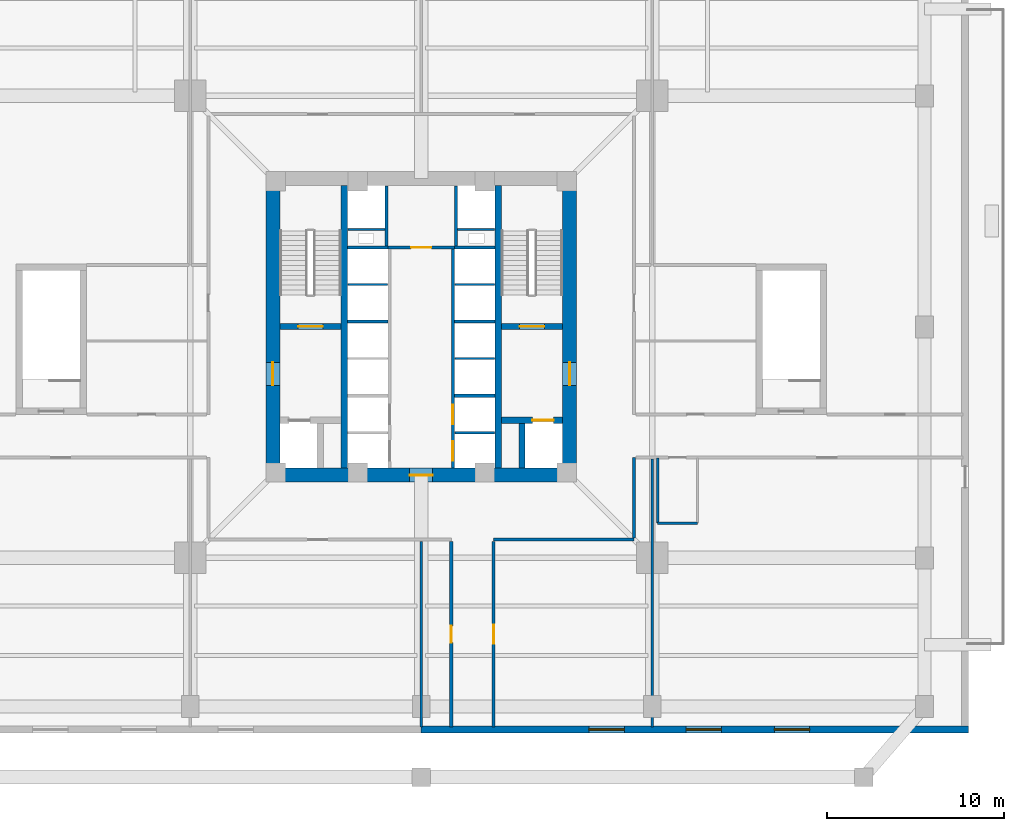
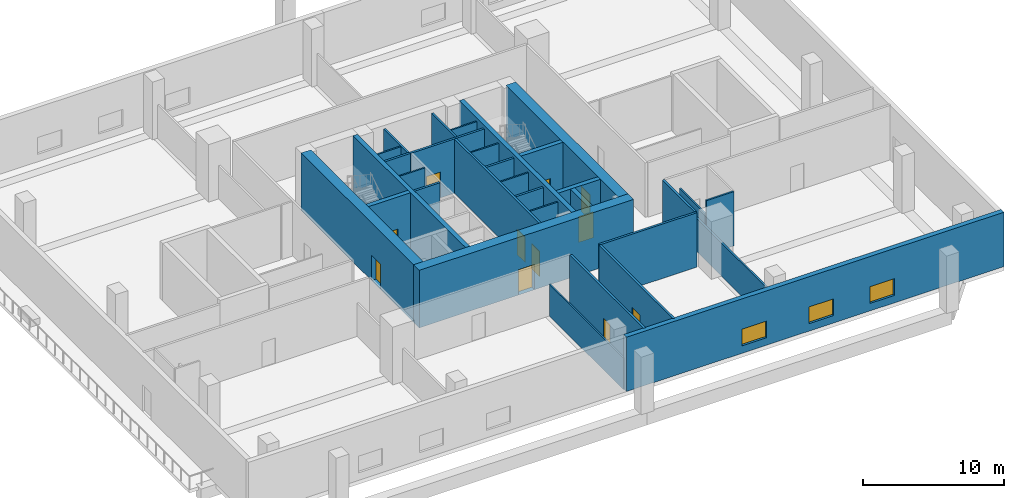
# One storey, part 3 of 8: 33 walls, 11 doors, 3 windows, 14 openings.
"""IFC4 building model written with IfcOpenShell, lengths in metres."""

import ifcopenshell
import ifcopenshell.guid

model = None  # the IFC model being written
_history = None  # IfcOwnerHistory: only IFC2X3 demands one
_inside = {}  # id of a spatial element -> (the spatial element, [elements in it])
_under = {}  # id of a project, library or spatial element -> (it, [spatial elements below it])
_declared = {}  # id of a project -> (the project, [libraries it declares])
_typed = {}  # id of a type object -> (the type object, [elements of that type])
_made_of = {}  # id of a material, layer set ... -> (it, [elements and type objects made of it])


def new_model(schema):
    """Start an empty IFC model of exactly this schema.

    Asked for "IFC4X3", IfcOpenShell would pick the latest addendum, in which some entities
    have other attributes; the version numbers below select the first issue.
    IFC2X3 requires an IfcOwnerHistory on every rooted entity: one is made here for all.
    """
    global model, _history
    if schema == "IFC4X3":
        model = ifcopenshell.file(schema_version=(4, 3, 0, 0))
    else:
        model = ifcopenshell.file(schema=schema)
    _inside.clear()
    _under.clear()
    _declared.clear()
    _typed.clear()
    _made_of.clear()
    _history = None
    if model.schema == "IFC2X3":
        org = make("IfcOrganization", Name="unknown")
        user = make(
            "IfcPersonAndOrganization",
            ThePerson=make("IfcPerson", FamilyName="unknown"),
            TheOrganization=org,
        )
        app = make(
            "IfcApplication",
            ApplicationDeveloper=org,
            Version="unknown",
            ApplicationFullName="unknown",
            ApplicationIdentifier="unknown",
        )
        _history = make(
            "IfcOwnerHistory",
            OwningUser=user,
            OwningApplication=app,
            ChangeAction="ADDED",
            CreationDate=0,
        )
    return model


def make(cls, **values):
    """One entity of the class cls with the attributes given. An attribute that is None is left unset."""
    return model.create_entity(
        cls, **{name: value for name, value in values.items() if value is not None}
    )


def rooted(cls, **values):
    """An entity with a GlobalId (a new one), such as an element, a storey or a relation."""
    return make(cls, GlobalId=ifcopenshell.guid.new(), OwnerHistory=_history, **values)


def si_unit(unit_type, name, prefix=None):
    """IfcSIUnit, for example si_unit("LENGTHUNIT", "METRE", prefix="MILLI")."""
    return make("IfcSIUnit", UnitType=unit_type, Prefix=prefix, Name=name)


def assignment(units):
    """IfcUnitAssignment: the units of a project."""
    return None if units is None else make("IfcUnitAssignment", Units=units)


def point(xyz):
    """IfcCartesianPoint."""
    return None if xyz is None else make("IfcCartesianPoint", Coordinates=xyz)


def direction(xyz):
    """IfcDirection."""
    return None if xyz is None else make("IfcDirection", DirectionRatios=xyz)


def frame(location, z_axis=None, x_axis=None):
    """IfcAxis2Placement3D, a coordinate frame: its origin and axes. An axis left out is left unset."""
    return make(
        "IfcAxis2Placement3D",
        Location=point(location),
        Axis=direction(z_axis),
        RefDirection=direction(x_axis),
    )


def frame_2d(location, x_axis=None):
    """IfcAxis2Placement2D, a coordinate frame in the plane: its origin and x axis."""
    return make(
        "IfcAxis2Placement2D", Location=point(location), RefDirection=direction(x_axis)
    )


def origin():
    """The frame at (0, 0, 0) with its axes left unset."""
    return frame((0.0, 0.0, 0.0))


def place(relative_to, where):
    """IfcLocalPlacement: puts the frame where relative to a parent placement (None: the world)."""
    return make(
        "IfcLocalPlacement", PlacementRelTo=relative_to, RelativePlacement=where
    )


def context(
    kind, dimensions, precision=None, world=None, true_north=None, identifier=None
):
    """IfcGeometricRepresentationContext, for example the 3D "Model" context."""
    return make(
        "IfcGeometricRepresentationContext",
        ContextIdentifier=identifier,
        ContextType=kind,
        CoordinateSpaceDimension=dimensions,
        Precision=precision,
        WorldCoordinateSystem=world,
        TrueNorth=true_north,
    )


def subcontext(parent, identifier, kind, view, scale=None):
    """IfcGeometricRepresentationSubContext, for example "Body" below "Model"."""
    return make(
        "IfcGeometricRepresentationSubContext",
        ContextIdentifier=identifier,
        ContextType=kind,
        ParentContext=parent,
        TargetScale=scale,
        TargetView=view,
    )


def project(units=None, contexts=None):
    """IfcProject with its units and contexts."""
    return rooted(
        "IfcProject",
        Name="project",
        RepresentationContexts=contexts,
        UnitsInContext=assignment(units),
    )


def spatial(cls, under=None, at=None, **own):
    """A site, building, storey or space (cls), placed at a placement, below another one or the project."""
    s = rooted(cls, ObjectPlacement=at, **own)
    if under is not None:
        _under.setdefault(under.id(), (under, []))[1].append(s)
    return s


def profile(cls, at=None, kind="AREA", **sizes):
    """A parametric profile (cls). Its sizes go by their IFC names, for example OverallWidth=200.0."""
    return make(cls, ProfileType=kind, Position=at, **sizes)


def rectangle(**sizes):
    """IfcRectangleProfileDef."""
    return profile("IfcRectangleProfileDef", **sizes)


def extrude(swept, where, along, depth):
    """IfcExtrudedAreaSolid: the profile swept, set in the frame where, extruded along a direction by depth."""
    return make(
        "IfcExtrudedAreaSolid",
        SweptArea=swept,
        Position=where,
        ExtrudedDirection=direction(along),
        Depth=depth,
    )


def shape(context_of_items, identifier, shape_type, items):
    """IfcShapeRepresentation: the items that make up one representation, for example the "Body"."""
    return make(
        "IfcShapeRepresentation",
        ContextOfItems=context_of_items,
        RepresentationIdentifier=identifier,
        RepresentationType=shape_type,
        Items=items,
    )


def source(mapping_origin, context_of_items, identifier, shape_type, items):
    """IfcRepresentationMap: a shape defined once, which mapped items show again and again."""
    return make(
        "IfcRepresentationMap",
        MappingOrigin=mapping_origin,
        MappedRepresentation=shape(context_of_items, identifier, shape_type, items),
    )


def transform(
    local_origin,
    x_axis=None,
    y_axis=None,
    z_axis=None,
    scale=None,
    scale2=None,
    scale3=None,
    uniform=True,
):
    """IfcCartesianTransformationOperator3D, or its non-uniform kind. x_axis, y_axis, z_axis: its Axis1, 2, 3."""
    if uniform:
        return make(
            "IfcCartesianTransformationOperator3D",
            Axis1=direction(x_axis),
            Axis2=direction(y_axis),
            LocalOrigin=point(local_origin),
            Scale=scale,
            Axis3=direction(z_axis),
        )
    return make(
        "IfcCartesianTransformationOperator3DnonUniform",
        Axis1=direction(x_axis),
        Axis2=direction(y_axis),
        LocalOrigin=point(local_origin),
        Scale=scale,
        Axis3=direction(z_axis),
        Scale2=scale2,
        Scale3=scale3,
    )


def mapped(mapping_source, mapping_target):
    """IfcMappedItem: shows the shape of a source again, moved by a transform."""
    return make(
        "IfcMappedItem", MappingSource=mapping_source, MappingTarget=mapping_target
    )


def material(Name=None, Category=None):
    """IfcMaterial."""
    return make("IfcMaterial", Name=Name, Category=Category)


def layer(
    of_material, thickness, ventilated=None, Name=None, Category=None, Priority=None
):
    """IfcMaterialLayer: one layer of a wall or slab, of a material (None: an air gap)."""
    return make(
        "IfcMaterialLayer",
        Material=of_material,
        LayerThickness=thickness,
        IsVentilated=ventilated,
        Name=Name,
        Category=Category,
        Priority=Priority,
    )


def layer_set(layers, Name=None):
    """IfcMaterialLayerSet."""
    return make("IfcMaterialLayerSet", MaterialLayers=layers, LayerSetName=Name)


def made_of(thing, what):
    """Note that an element or type object is made of a material, layer set ...; save() writes the relation."""
    if what is not None:
        _made_of.setdefault(what.id(), (what, []))[1].append(thing)
    return thing


def type_object(cls, material=None, **own):
    """A type object (cls), such as IfcWallType, which elements share."""
    return made_of(rooted(cls, **own), material)


def element(
    cls,
    number,
    at=None,
    inside=None,
    cuts=None,
    type_object=None,
    material=None,
    context=None,
    identifier="Body",
    shape_type=None,
    held_by="IfcProductDefinitionShape",
    body=None,
    shapes=None,
    **own,
):
    """One element of the class cls, such as IfcWall. Its Tag is "e" and its number.

    at: its placement. inside: the storey or other place that contains it. cuts: it is an
    opening in that element (IfcRelVoidsElement). A single representation is given by context,
    identifier, shape_type and body (its items); several are given by shapes. held_by: the class
    of the entity that holds the representations. save() writes the other relations.
    """
    e = rooted(cls, Tag="e%d" % number, ObjectPlacement=at, **own)
    if body is not None:
        shapes = [shape(context, identifier, shape_type, body)]
    if shapes is not None:
        e.Representation = make(held_by, Representations=shapes)
    if inside is not None:
        _inside.setdefault(inside.id(), (inside, []))[1].append(e)
    if cuts is not None:
        rooted(
            "IfcRelVoidsElement", RelatingBuildingElement=cuts, RelatedOpeningElement=e
        )
    if type_object is not None:
        _typed.setdefault(type_object.id(), (type_object, []))[1].append(e)
    return made_of(e, material)


def fill(opening, filler):
    """IfcRelFillsElement: the door or window that sits in an opening."""
    return rooted(
        "IfcRelFillsElement",
        RelatingOpeningElement=opening,
        RelatedBuildingElement=filler,
    )


def aggregate(whole, parts):
    """IfcRelAggregates: a whole, such as a stair, and the parts it consists of."""
    return rooted("IfcRelAggregates", RelatingObject=whole, RelatedObjects=parts)


def save(model, path):
    """Write the relations noted so far, then the file.

    IfcRelAggregates (storeys below a building ...), IfcRelContainedInSpatialStructure (elements
    in a storey), IfcRelDefinesByType, IfcRelAssociatesMaterial and IfcRelDeclares: one each for
    every whole, place, type object, material and project.
    """
    for whole, parts in _under.values():
        aggregate(whole, parts)
    for where, things in _inside.values():
        rooted(
            "IfcRelContainedInSpatialStructure",
            RelatedElements=things,
            RelatingStructure=where,
        )
    for kind, things in _typed.values():
        rooted("IfcRelDefinesByType", RelatedObjects=things, RelatingType=kind)
    for what, things in _made_of.values():
        rooted("IfcRelAssociatesMaterial", RelatedObjects=things, RelatingMaterial=what)
    for by, libraries in _declared.values():
        rooted("IfcRelDeclares", RelatingContext=by, RelatedDefinitions=libraries)
    model.write(path)


model = new_model("IFC4")

# Units and contexts
model_context = context("Model", 3, precision=1e-05, world=origin(), true_north=direction((0.0, 1.0)))
body_context = subcontext(model_context, "Body", "Model", "MODEL_VIEW")
ifc_project = project(units=[si_unit("LENGTHUNIT", "METRE"), si_unit("AREAUNIT", "SQUARE_METRE"), si_unit("VOLUMEUNIT", "CUBIC_METRE"), si_unit("PLANEANGLEUNIT", "RADIAN"), si_unit("MASSUNIT", "GRAM", prefix="KILO"), si_unit("THERMODYNAMICTEMPERATUREUNIT", "KELVIN")], contexts=[model_context])

# Site, building, storey
site_placement = place(None, origin())
site = spatial("IfcSite", under=ifc_project, at=site_placement, CompositionType="ELEMENT")
building_placement = place(site_placement, origin())
building = spatial("IfcBuilding", under=site, at=building_placement, Name="Kosmvard Interchange Tower", CompositionType="ELEMENT")
storey_placement = place(building_placement, frame((0.0, 0.0, 21.0)))
storey = spatial("IfcBuildingStorey", under=building, at=storey_placement, Name="L04", CompositionType="ELEMENT", Elevation=21.0)

# Walls
ifc_material_1 = material(Name="Acoustic gypsum partition system")
ifc_layer_1 = layer(ifc_material_1, 0.14990234375, Name="Acoustic gypsum partition system")
ifc_layer_set_1 = layer_set([ifc_layer_1], Name="Acoustic gypsum partition system")
wall_type_1 = type_object("IfcWallType", Name="Acoustic Suite & Meeting Partition 150", PredefinedType="PARTITIONING", material=ifc_layer_set_1)
wall_1_placement = place(storey_placement, frame((13.0810546875, -22.6650390625, 0.0), z_axis=(0.0, 0.0, 1.0), x_axis=(0.0, 1.0, 0.0)))
element("IfcWall", 1, at=wall_1_placement, inside=storey, type_object=wall_type_1, Name="L04 Room Partition 10.1", PredefinedType="PARTITIONING", context=body_context, shape_type="SweptSolid", body=[
    extrude(rectangle(XDim=15.169921875, YDim=0.14990234375, at=frame_2d((7.5849609375, 0.0))), origin(), (0.0, 0.0, 1.0), 2.8798828125),
])
ifc_material_2 = material(Name="Fire-rated gypsum partition system")
ifc_layer_2 = layer(ifc_material_2, 0.159912109375, Name="Fire-rated gypsum partition system")
ifc_layer_set_2 = layer_set([ifc_layer_2], Name="Fire-rated gypsum partition system")
wall_type_2 = type_object("IfcWallType", Name="Core Compartment & Shuttle Lobby Partition 160", PredefinedType="PARTITIONING", material=ifc_layer_set_2)
for number, where, z_axis, x_axis, name in (
    (2, (-1.9599609375, 4.580078125, 0.0), (0.0, 0.0, 1.0), (0.0, 1.0, 0.0), "L04 North Core West Wall"),
    (3, (1.9599609375, 4.580078125, 0.0), (0.0, 0.0, 1.0), (0.0, 1.0, 0.0), "L04 North Core East Wall"),
):
    element("IfcWall", number, at=place(storey_placement, frame(where, z_axis=z_axis, x_axis=x_axis)), inside=storey, type_object=wall_type_2, Name=name, PredefinedType="PARTITIONING", context=body_context, shape_type="SweptSolid", body=[
        extrude(rectangle(XDim=3.39990234375, YDim=0.159912109375, at=frame_2d((1.699951171875, 0.0))), origin(), (0.0, 0.0, 1.0), 4.719970703125),
    ])

# Wall, openings, doors
ifc_layer_3 = layer(ifc_material_2, 0.179931640625, Name="Fire-rated gypsum partition system")
ifc_layer_set_3 = layer_set([ifc_layer_3], Name="Fire-rated gypsum partition system")
wall_type_3 = type_object("IfcWallType", Name="Corridor & Hotel Compartment Partition 180", PredefinedType="PARTITIONING", material=ifc_layer_set_3)
wall_2_placement = place(storey_placement, frame((1.7900390625, -7.97998046875, 0.0), z_axis=(0.0, 0.0, 1.0), x_axis=(0.0, 1.0, 0.0)))
wall_2 = element("IfcWall", 4, at=wall_2_placement, inside=storey, type_object=wall_type_3, Name="L04 East Lift Bank Front Wall", PredefinedType="PARTITIONING", context=body_context, shape_type="SweptSolid", body=[
    extrude(rectangle(XDim=12.3798828125, YDim=0.179931640625, at=frame_2d((6.18994140625, 0.0))), origin(), (0.0, 0.0, 1.0), 4.719970703125),
])
opening_1_placement = place(wall_2_placement, frame((0.39990234375, 0.0, 0.0)))
opening_1 = element("IfcOpeningElement", 5, at=opening_1_placement, cuts=wall_2, Name="Opening LD-PL-L3-L04", PredefinedType="OPENING", context=body_context, shape_type="SweptSolid", body=[
    extrude(rectangle(XDim=1.10009765625, YDim=2.199951171875, at=frame_2d((0.550048828125, 1.10009765625))), frame((0.0, 0.10009765625, 0.0), z_axis=(0.0, -1.0, 0.0), x_axis=(1.0, 0.0, 0.0)), (0.0, 0.0, 1.0), 0.199951171875),
])
opening_2_placement = place(wall_2_placement, frame((2.4599609375, 0.0, 0.0)))
opening_2 = element("IfcOpeningElement", 6, at=opening_2_placement, cuts=wall_2, Name="Opening LD-PL-L4-L04", PredefinedType="OPENING", context=body_context, shape_type="SweptSolid", body=[
    extrude(rectangle(XDim=1.10009765625, YDim=2.199951171875, at=frame_2d((0.550048828125, 1.10009765625))), frame((0.0, 0.10009765625, 0.0), z_axis=(0.0, -1.0, 0.0), x_axis=(1.0, 0.0, 0.0)), (0.0, 0.0, 1.0), 0.199951171875),
])
ifc_material_3 = material(Name="Brushed stainless steel sliding leaf", Category="steel")
door_type_1 = type_object("IfcDoorType", Name="Passenger Lift Sliding Landing Door 1100x2200 EI60", OperationType="DOUBLE_DOOR_SLIDING", PredefinedType="DOOR", material=ifc_material_3)
shared_shape_1 = source(origin(), body_context, "Body", "SweptSolid", [
    extrude(rectangle(XDim=1.10009765625, YDim=2.199951171875, at=frame_2d((0.550048828125, 1.10009765625))), frame((0.0, 0.02490234375, 0.0), z_axis=(0.0, -1.0, 0.0), x_axis=(1.0, 0.0, 0.0)), (0.0, 0.0, 1.0), 0.050048828125),
])
door_1_placement = place(opening_1_placement, origin())
door_1 = element("IfcDoor", 7, at=door_1_placement, inside=storey, type_object=door_type_1, Name="Lift PL-L3 Landing Door L04", OperationType="DOUBLE_DOOR_SLIDING", OverallHeight=2.199951171875, OverallWidth=1.10009765625, PredefinedType="DOOR", context=body_context, shape_type="MappedRepresentation", body=[
    mapped(shared_shape_1, transform((0.0, 0.0, 0.0), scale=1.0)),
])
fill(opening_1, door_1)
door_2_placement = place(opening_2_placement, origin())
door_2 = element("IfcDoor", 8, at=door_2_placement, inside=storey, type_object=door_type_1, Name="Lift PL-L4 Landing Door L04", OperationType="DOUBLE_DOOR_SLIDING", OverallHeight=2.199951171875, OverallWidth=1.10009765625, PredefinedType="DOOR", context=body_context, shape_type="MappedRepresentation", body=[
    mapped(shared_shape_1, transform((0.0, 0.0, 0.0), scale=1.0)),
])
fill(opening_2, door_2)

# Wall, opening, door
wall_3_placement = place(storey_placement, frame((-1.8798828125, 4.489990234375, 0.0), z_axis=(0.0, 0.0, 1.0), x_axis=(1.0, 0.0, 0.0)))
wall_3 = element("IfcWall", 9, at=wall_3_placement, inside=storey, type_object=wall_type_3, Name="L04 Lift Lobby North Partition", PredefinedType="PARTITIONING", context=body_context, shape_type="SweptSolid", body=[
    extrude(rectangle(XDim=3.759765625, YDim=0.179931640625, at=frame_2d((1.8798828125, 0.0))), origin(), (0.0, 0.0, 1.0), 4.719970703125),
])
opening_3_placement = place(wall_3_placement, frame((1.304931640625, 0.0, 0.0)))
opening_3 = element("IfcOpeningElement", 10, at=opening_3_placement, cuts=wall_3, Name="Opening L04-KD1", PredefinedType="OPENING", context=body_context, shape_type="SweptSolid", body=[
    extrude(rectangle(XDim=1.14990234375, YDim=2.25, at=frame_2d((0.574951171875, 1.125))), frame((0.0, 0.10009765625, 0.0), z_axis=(0.0, -1.0, 0.0), x_axis=(1.0, 0.0, 0.0)), (0.0, 0.0, 1.0), 0.199951171875),
])
ifc_material_4 = material(Name="Painted fire-rated steel leaf", Category="steel")
door_type_2 = type_object("IfcDoorType", Name="Plant & Riser Fire Door 1150x2250 EI60", OperationType="NOTDEFINED", PredefinedType="DOOR", material=ifc_material_4)
shared_shape_2 = source(origin(), body_context, "Body", "SweptSolid", [
    extrude(rectangle(XDim=1.14990234375, YDim=2.25, at=frame_2d((0.574951171875, 1.125))), frame((0.0, 0.02490234375, 0.0), z_axis=(0.0, -1.0, 0.0), x_axis=(1.0, 0.0, 0.0)), (0.0, 0.0, 1.0), 0.050048828125),
])
door_3_placement = place(opening_3_placement, origin())
door_3 = element("IfcDoor", 11, at=door_3_placement, inside=storey, type_object=door_type_2, Name="L04 Core IT Room Door", OperationType="SINGLE_SWING_LEFT", OverallHeight=2.25, OverallWidth=1.14990234375, PredefinedType="DOOR", context=body_context, shape_type="MappedRepresentation", body=[
    mapped(shared_shape_2, transform((0.0, 0.0, 0.0), scale=1.0)),
])
fill(opening_3, door_3)

# Walls
wall_4_placement = place(storey_placement, frame((4.10009765625, -12.050048828125, 0.0), z_axis=(0.0, 0.0, 1.0), x_axis=(1.0, 0.0, 0.0)))
element("IfcWall", 12, at=wall_4_placement, inside=storey, type_object=wall_type_3, Name="L04 Corridor Wall CSE", PredefinedType="PARTITIONING", context=body_context, shape_type="SweptSolid", body=[
    extrude(rectangle(XDim=7.949951171875, YDim=0.179931640625, at=frame_2d((3.97509765625, 0.0))), origin(), (0.0, 0.0, 1.0), 4.719970703125),
])
wall_5_placement = place(storey_placement, frame((12.050048828125, -11.949951171875, 0.0), z_axis=(0.0, 0.0, 1.0), x_axis=(0.0, 1.0, 0.0)))
element("IfcWall", 13, at=wall_5_placement, inside=storey, type_object=wall_type_3, Name="L04 Corridor Wall CES", PredefinedType="PARTITIONING", context=body_context, shape_type="SweptSolid", body=[
    extrude(rectangle(XDim=4.550048828125, YDim=0.179931640625, at=frame_2d((2.27490234375, 0.0))), origin(), (0.0, 0.0, 1.0), 4.719970703125),
])

# Wall, opening, door
wall_6_placement = place(storey_placement, frame((1.699951171875, -22.6650390625, 0.0), z_axis=(0.0, 0.0, 1.0), x_axis=(0.0, 1.0, 0.0)))
wall_6 = element("IfcWall", 14, at=wall_6_placement, inside=storey, type_object=wall_type_3, Name="L04 Corridor Wall SSW", PredefinedType="PARTITIONING", context=body_context, shape_type="SweptSolid", body=[
    extrude(rectangle(XDim=10.51513671875, YDim=0.179931640625, at=frame_2d((5.257568359375, 0.0))), origin(), (0.0, 0.0, 1.0), 4.719970703125),
])
opening_4_placement = place(wall_6_placement, frame((4.782470703125, 0.0, 0.0)))
opening_4 = element("IfcOpeningElement", 15, at=opening_4_placement, cuts=wall_6, Name="Opening L04-D13", PredefinedType="OPENING", context=body_context, shape_type="SweptSolid", body=[
    extrude(rectangle(XDim=0.949951171875, YDim=2.14990234375, at=frame_2d((0.47509765625, 1.074951171875))), frame((0.0, 0.10009765625, 0.0), z_axis=(0.0, -1.0, 0.0), x_axis=(1.0, 0.0, 0.0)), (0.0, 0.0, 1.0), 0.199951171875),
])
ifc_material_5 = material(Name="Engineered oak acoustic timber", Category="wood")
door_type_3 = type_object("IfcDoorType", Name="Meeting & Cellular Office Door 950x2150", OperationType="NOTDEFINED", PredefinedType="DOOR", material=ifc_material_5)
shared_shape_3 = source(origin(), body_context, "Body", "SweptSolid", [
    extrude(rectangle(XDim=0.949951171875, YDim=2.14990234375, at=frame_2d((0.47509765625, 1.074951171875))), frame((0.0, 0.02490234375, 0.0), z_axis=(0.0, -1.0, 0.0), x_axis=(1.0, 0.0, 0.0)), (0.0, 0.0, 1.0), 0.050048828125),
])
door_4_placement = place(opening_4_placement, origin())
door_4 = element("IfcDoor", 16, at=door_4_placement, inside=storey, type_object=door_type_3, Name="L04 L04 Business Archive Store Door", OperationType="SINGLE_SWING_LEFT", OverallHeight=2.14990234375, OverallWidth=0.949951171875, PredefinedType="DOOR", context=body_context, shape_type="MappedRepresentation", body=[
    mapped(shared_shape_3, transform((0.0, 0.0, 0.0), scale=1.0)),
])
fill(opening_4, door_4)

wall_7_placement = place(storey_placement, frame((4.10009765625, -22.6650390625, 0.0), z_axis=(0.0, 0.0, 1.0), x_axis=(0.0, 1.0, 0.0)))
wall_7 = element("IfcWall", 17, at=wall_7_placement, inside=storey, type_object=wall_type_3, Name="L04 Corridor Wall SSE", PredefinedType="PARTITIONING", context=body_context, shape_type="SweptSolid", body=[
    extrude(rectangle(XDim=10.51513671875, YDim=0.179931640625, at=frame_2d((5.257568359375, 0.0))), origin(), (0.0, 0.0, 1.0), 4.719970703125),
])
opening_5_placement = place(wall_7_placement, frame((4.70751953125, 0.0, 0.0)))
opening_5 = element("IfcOpeningElement", 18, at=opening_5_placement, cuts=wall_7, Name="Opening L04-D14", PredefinedType="OPENING", context=body_context, shape_type="SweptSolid", body=[
    extrude(rectangle(XDim=1.10009765625, YDim=2.199951171875, at=frame_2d((0.550048828125, 1.10009765625))), frame((0.0, 0.10009765625, 0.0), z_axis=(0.0, -1.0, 0.0), x_axis=(1.0, 0.0, 0.0)), (0.0, 0.0, 1.0), 0.199951171875),
])
ifc_material_6 = material(Name="Engineered oak fire-rated timber", Category="wood")
door_type_4 = type_object("IfcDoorType", Name="Office Suite Entrance Door 1100x2200 FD30S", OperationType="NOTDEFINED", PredefinedType="DOOR", material=ifc_material_6)
door_5_placement = place(opening_5_placement, frame((1.10009765625, 0.0, 0.0), z_axis=(0.0, 0.0, 1.0), x_axis=(-1.0, 0.0, 0.0)))
door_5 = element("IfcDoor", 19, at=door_5_placement, inside=storey, type_object=door_type_4, Name="L04 L04 Boardroom 4 Door", OperationType="SINGLE_SWING_RIGHT", OverallHeight=2.199951171875, OverallWidth=1.10009765625, PredefinedType="DOOR", context=body_context, shape_type="MappedRepresentation", body=[
    mapped(shared_shape_1, transform((0.0, 0.0, 0.0), scale=1.0)),
])
fill(opening_5, door_5)

ifc_material_7 = material(Name="Concrete C80/95", Category="concrete")
ifc_layer_4 = layer(ifc_material_7, 0.800048828125, Name="Concrete C80/95")
ifc_layer_set_4 = layer_set([ifc_layer_4], Name="Concrete C80/95")
wall_type_4 = type_object("IfcWallType", Name="Lower Core Shear Wall 800 C80/95", PredefinedType="SHEAR", material=ifc_layer_set_4)
wall_8_placement = place(storey_placement, frame((-8.800048828125, -8.39990234375, 0.0), z_axis=(0.0, 0.0, 1.0), x_axis=(1.0, 0.0, 0.0)))
wall_8 = element("IfcWall", 20, at=wall_8_placement, inside=storey, type_object=wall_type_4, Name="L04 Core Shear Wall CW-S", PredefinedType="SHEAR", context=body_context, shape_type="SweptSolid", body=[
    extrude(rectangle(XDim=17.60009765625, YDim=0.800048828125, at=frame_2d((8.800048828125, 0.0))), origin(), (0.0, 0.0, 1.0), 5.0),
])
opening_6_placement = place(wall_8_placement, frame((8.14990234375, 0.0, 0.0)))
opening_6 = element("IfcOpeningElement", 21, at=opening_6_placement, cuts=wall_8, Name="Opening L04-LD0", PredefinedType="OPENING", context=body_context, shape_type="SweptSolid", body=[
    extrude(rectangle(XDim=1.300048828125, YDim=2.199951171875, at=frame_2d((0.64990234375, 1.10009765625))), frame((0.0, 0.41015625, 0.0), z_axis=(0.0, -1.0, 0.0), x_axis=(1.0, 0.0, 0.0)), (0.0, 0.0, 1.0), 0.820068359375),
])
door_type_5 = type_object("IfcDoorType", Name="Firefighting Lobby Door 1300x2200 EI60", OperationType="NOTDEFINED", PredefinedType="DOOR", material=ifc_material_4)
shared_shape_4 = source(origin(), body_context, "Body", "SweptSolid", [
    extrude(rectangle(XDim=1.300048828125, YDim=2.199951171875, at=frame_2d((0.64990234375, 1.10009765625))), frame((0.0, 0.02490234375, 0.0), z_axis=(0.0, -1.0, 0.0), x_axis=(1.0, 0.0, 0.0)), (0.0, 0.0, 1.0), 0.050048828125),
])
door_6_placement = place(opening_6_placement, frame((1.300048828125, 0.0, 0.0), z_axis=(0.0, 0.0, 1.0), x_axis=(-1.0, 0.0, 0.0)))
door_6 = element("IfcDoor", 22, at=door_6_placement, inside=storey, type_object=door_type_5, Name="L04 Passenger Lift Lobby South Door", OperationType="SINGLE_SWING_RIGHT", OverallHeight=2.199951171875, OverallWidth=1.300048828125, PredefinedType="DOOR", context=body_context, shape_type="MappedRepresentation", body=[
    mapped(shared_shape_4, transform((0.0, 0.0, 0.0), scale=1.0)),
])
fill(opening_6, door_6)

wall_9_placement = place(storey_placement, frame((-8.39990234375, -8.0, 0.0), z_axis=(0.0, 0.0, 1.0), x_axis=(0.0, 1.0, 0.0)))
wall_9 = element("IfcWall", 23, at=wall_9_placement, inside=storey, type_object=wall_type_4, Name="L04 Core Shear Wall CW-W", PredefinedType="SHEAR", context=body_context, shape_type="SweptSolid", body=[
    extrude(rectangle(XDim=16.0, YDim=0.800048828125, at=frame_2d((8.0, 0.0))), origin(), (0.0, 0.0, 1.0), 5.0),
])
opening_7_placement = place(wall_9_placement, frame((4.68994140625, 0.0, 0.0)))
opening_7 = element("IfcOpeningElement", 24, at=opening_7_placement, cuts=wall_9, Name="Opening L04-FD1", PredefinedType="OPENING", context=body_context, shape_type="SweptSolid", body=[
    extrude(rectangle(XDim=1.300048828125, YDim=2.199951171875, at=frame_2d((0.64990234375, 1.10009765625))), frame((0.0, 0.41015625, 0.0), z_axis=(0.0, -1.0, 0.0), x_axis=(1.0, 0.0, 0.0)), (0.0, 0.0, 1.0), 0.820068359375),
])
door_7_placement = place(opening_7_placement, frame((1.300048828125, 0.0, 0.0), z_axis=(0.0, 0.0, 1.0), x_axis=(-1.0, 0.0, 0.0)))
door_7 = element("IfcDoor", 25, at=door_7_placement, inside=storey, type_object=door_type_5, Name="L04 Firefighting Lobby West Door", OperationType="SINGLE_SWING_LEFT", OverallHeight=2.199951171875, OverallWidth=1.300048828125, PredefinedType="DOOR", context=body_context, shape_type="MappedRepresentation", body=[
    mapped(shared_shape_4, transform((0.0, 0.0, 0.0), scale=1.0)),
])
fill(opening_7, door_7)

wall_10_placement = place(storey_placement, frame((8.39990234375, -8.0, 0.0), z_axis=(0.0, 0.0, 1.0), x_axis=(0.0, 1.0, 0.0)))
wall_10 = element("IfcWall", 26, at=wall_10_placement, inside=storey, type_object=wall_type_4, Name="L04 Core Shear Wall CW-E", PredefinedType="SHEAR", context=body_context, shape_type="SweptSolid", body=[
    extrude(rectangle(XDim=16.0, YDim=0.800048828125, at=frame_2d((8.0, 0.0))), origin(), (0.0, 0.0, 1.0), 5.0),
])
opening_8_placement = place(wall_10_placement, frame((4.68994140625, 0.0, 0.0)))
opening_8 = element("IfcOpeningElement", 27, at=opening_8_placement, cuts=wall_10, Name="Opening L04-FD2", PredefinedType="OPENING", context=body_context, shape_type="SweptSolid", body=[
    extrude(rectangle(XDim=1.300048828125, YDim=2.199951171875, at=frame_2d((0.64990234375, 1.10009765625))), frame((0.0, 0.41015625, 0.0), z_axis=(0.0, -1.0, 0.0), x_axis=(1.0, 0.0, 0.0)), (0.0, 0.0, 1.0), 0.820068359375),
])
door_8_placement = place(opening_8_placement, origin())
door_8 = element("IfcDoor", 28, at=door_8_placement, inside=storey, type_object=door_type_5, Name="L04 Firefighting Lobby East Door", OperationType="SINGLE_SWING_RIGHT", OverallHeight=2.199951171875, OverallWidth=1.300048828125, PredefinedType="DOOR", context=body_context, shape_type="MappedRepresentation", body=[
    mapped(shared_shape_4, transform((0.0, 0.0, 0.0), scale=1.0)),
])
fill(opening_8, door_8)

# Wall
ifc_material_8 = material(Name="Gypsum board partition system")
ifc_layer_5 = layer(ifc_material_8, 0.1201171875, Name="Gypsum board partition system")
ifc_layer_set_5 = layer_set([ifc_layer_5], Name="Gypsum board partition system")
wall_type_5 = type_object("IfcWallType", Name="Office Cellular Partition 120", PredefinedType="PARTITIONING", material=ifc_layer_set_5)
wall_11_placement = place(storey_placement, frame((0.0, -22.6650390625, 0.0), z_axis=(0.0, 0.0, 1.0), x_axis=(0.0, 1.0, 0.0)))
element("IfcWall", 29, at=wall_11_placement, inside=storey, type_object=wall_type_5, Name="L04 Room Partition 09.1", PredefinedType="PARTITIONING", context=body_context, shape_type="SweptSolid", body=[
    extrude(rectangle(XDim=10.52001953125, YDim=0.1201171875, at=frame_2d((5.260009765625, 0.0))), origin(), (0.0, 0.0, 1.0), 2.75),
])

# Wall, openings, windows
ifc_material_9 = material(Name="Precast concrete C45/55", Category="concrete")
ifc_layer_6 = layer(ifc_material_9, 0.39990234375, Name="Precast concrete C45/55")
ifc_layer_set_6 = layer_set([ifc_layer_6], Name="Precast concrete C45/55")
wall_type_6 = type_object("IfcWallType", Name="Podium Precast Stone Pier Wall 400 C45/55", PredefinedType="STANDARD", material=ifc_layer_set_6)
wall_12_placement = place(storey_placement, frame((0.0, -22.800048828125, 0.0), z_axis=(0.0, 0.0, 1.0), x_axis=(1.0, 0.0, 0.0)))
wall_12 = element("IfcWall", 30, at=wall_12_placement, inside=storey, type_object=wall_type_6, Name="L04 Podium Precast Wall EW-S2", PredefinedType="STANDARD", context=body_context, shape_type="SweptSolid", body=[
    extrude(rectangle(XDim=31.0, YDim=0.39990234375, at=frame_2d((15.5, 0.0))), origin(), (0.0, 0.0, 1.0), 4.719970703125),
])
opening_9_placement = place(wall_12_placement, frame((9.5, 0.0, 0.64990234375)))
opening_9 = element("IfcOpeningElement", 31, at=opening_9_placement, cuts=wall_12, Name="Opening L04-W4", PredefinedType="OPENING", context=body_context, shape_type="SweptSolid", body=[
    extrude(rectangle(XDim=2.0, YDim=1.449951171875, at=frame_2d((1.0, 0.72509765625))), frame((0.0, 0.2099609375, 0.0), z_axis=(0.0, -1.0, 0.0), x_axis=(1.0, 0.0, 0.0)), (0.0, 0.0, 1.0), 0.419921875),
])
opening_10_placement = place(wall_12_placement, frame((15.0, 0.0, 0.64990234375)))
opening_10 = element("IfcOpeningElement", 32, at=opening_10_placement, cuts=wall_12, Name="Opening L04-W5", PredefinedType="OPENING", context=body_context, shape_type="SweptSolid", body=[
    extrude(rectangle(XDim=2.0, YDim=1.449951171875, at=frame_2d((1.0, 0.72509765625))), frame((0.0, 0.2099609375, 0.0), z_axis=(0.0, -1.0, 0.0), x_axis=(1.0, 0.0, 0.0)), (0.0, 0.0, 1.0), 0.419921875),
])
opening_11_placement = place(wall_12_placement, frame((20.0, 0.0, 0.64990234375)))
opening_11 = element("IfcOpeningElement", 33, at=opening_11_placement, cuts=wall_12, Name="Opening L04-W6", PredefinedType="OPENING", context=body_context, shape_type="SweptSolid", body=[
    extrude(rectangle(XDim=2.0, YDim=1.449951171875, at=frame_2d((1.0, 0.72509765625))), frame((0.0, 0.2099609375, 0.0), z_axis=(0.0, -1.0, 0.0), x_axis=(1.0, 0.0, 0.0)), (0.0, 0.0, 1.0), 0.419921875),
])
ifc_material_10 = material(Name="Low-E solar-control double glazing", Category="glass")
window_type = type_object("IfcWindowType", Name="Transfer Zone Punched Window 2000x1450", PartitioningType="SINGLE_PANEL", PredefinedType="WINDOW", material=ifc_material_10)
shared_shape_5 = source(origin(), body_context, "Body", "SweptSolid", [
    extrude(rectangle(XDim=2.0, YDim=1.449951171875, at=frame_2d((1.0, 0.72509765625))), frame((0.0, 0.030029296875, 0.0), z_axis=(0.0, -1.0, 0.0), x_axis=(1.0, 0.0, 0.0)), (0.0, 0.0, 1.0), 0.06005859375),
])
window_1_placement = place(opening_9_placement, origin())
window_1 = element("IfcWindow", 34, at=window_1_placement, inside=storey, type_object=window_type, Name="L04 Podium Window 4", OverallHeight=1.449951171875, OverallWidth=2.0, PartitioningType="SINGLE_PANEL", PredefinedType="WINDOW", context=body_context, shape_type="MappedRepresentation", body=[
    mapped(shared_shape_5, transform((0.0, 0.0, 0.0), scale=1.0)),
])
fill(opening_9, window_1)
window_2_placement = place(opening_10_placement, origin())
window_2 = element("IfcWindow", 35, at=window_2_placement, inside=storey, type_object=window_type, Name="L04 Podium Window 5", OverallHeight=1.449951171875, OverallWidth=2.0, PartitioningType="SINGLE_PANEL", PredefinedType="WINDOW", context=body_context, shape_type="MappedRepresentation", body=[
    mapped(shared_shape_5, transform((0.0, 0.0, 0.0), scale=1.0)),
])
fill(opening_10, window_2)
window_3_placement = place(opening_11_placement, origin())
window_3 = element("IfcWindow", 36, at=window_3_placement, inside=storey, type_object=window_type, Name="L04 Podium Window 6", OverallHeight=1.449951171875, OverallWidth=2.0, PartitioningType="SINGLE_PANEL", PredefinedType="WINDOW", context=body_context, shape_type="MappedRepresentation", body=[
    mapped(shared_shape_5, transform((0.0, 0.0, 0.0), scale=1.0)),
])
fill(opening_11, window_3)

# Walls
ifc_material_11 = material(Name="Concrete blockwork masonry", Category="masonry")
ifc_layer_7 = layer(ifc_material_11, 0.179931640625, Name="Concrete blockwork masonry")
ifc_layer_set_7 = layer_set([ifc_layer_7], Name="Concrete blockwork masonry")
wall_type_7 = type_object("IfcWallType", Name="Riser & Lift Bank Divider Wall 180", PredefinedType="PARTITIONING", material=ifc_layer_set_7)
for number, where, z_axis, x_axis, name in (
    (37, (1.889892578125, -3.89990234375, 0.0), (0.0, 0.0, 1.0), (1.0, 0.0, 0.0), "L04 East Bank Divider BD1"),
    (38, (-4.169921875, 0.300048828125, 0.0), (0.0, 0.0, 1.0), (1.0, 0.0, 0.0), "L04 West Bank Divider BD2"),
    (39, (1.889892578125, 0.300048828125, 0.0), (0.0, 0.0, 1.0), (1.0, 0.0, 0.0), "L04 East Bank Divider BD2"),
    (40, (-4.169921875, 4.489990234375, 0.0), (0.0, 0.0, 1.0), (1.0, 0.0, 0.0), "L04 West Bank Divider BD3"),
    (41, (1.889892578125, 4.489990234375, 0.0), (0.0, 0.0, 1.0), (1.0, 0.0, 0.0), "L04 East Bank Divider BD3"),
):
    element("IfcWall", number, at=place(storey_placement, frame(where, z_axis=z_axis, x_axis=x_axis)), inside=storey, type_object=wall_type_7, Name=name, PredefinedType="PARTITIONING", context=body_context, shape_type="SweptSolid", body=[
        extrude(rectangle(XDim=2.280029296875, YDim=0.179931640625, at=frame_2d((1.14013671875, 0.0))), origin(), (0.0, 0.0, 1.0), 4.719970703125),
    ])
ifc_material_12 = material(Name="Fire-rated gypsum shaftwall system")
ifc_layer_8 = layer(ifc_material_12, 0.1201171875, Name="Fire-rated gypsum shaftwall system")
ifc_layer_set_8 = layer_set([ifc_layer_8], Name="Fire-rated gypsum shaftwall system")
wall_type_8 = type_object("IfcWallType", Name="Shaft & Riser Fire Partition 120 EI60", PredefinedType="PARTITIONING", material=ifc_layer_set_8)
for number, where, z_axis, x_axis, name in (
    (42, (1.89990234375, -6.0, 0.0), (0.0, 0.0, 1.0), (1.0, 0.0, 0.0), "L04 Shaft Divider PL-L3"),
    (43, (1.89990234375, -1.800048828125, 0.0), (0.0, 0.0, 1.0), (1.0, 0.0, 0.0), "L04 Shaft Divider PL-M3"),
    (44, (-4.159912109375, 2.39990234375, 0.0), (0.0, 0.0, 1.0), (1.0, 0.0, 0.0), "L04 Shaft Divider PL-H1"),
    (45, (1.89990234375, 2.39990234375, 0.0), (0.0, 0.0, 1.0), (1.0, 0.0, 0.0), "L04 Shaft Divider PL-H3"),
):
    element("IfcWall", number, at=place(storey_placement, frame(where, z_axis=z_axis, x_axis=x_axis)), inside=storey, type_object=wall_type_8, Name=name, PredefinedType="PARTITIONING", context=body_context, shape_type="SweptSolid", body=[
        extrude(rectangle(XDim=2.260009765625, YDim=0.1201171875, at=frame_2d((1.1298828125, 0.0))), origin(), (0.0, 0.0, 1.0), 4.719970703125),
    ])
for number, where, z_axis, x_axis, name in (
    (46, (-4.159912109375, 5.52001953125, 0.0), (0.0, 0.0, 1.0), (1.0, 0.0, 0.0), "L04 Riser Shaft Divider W"),
    (47, (2.06005859375, 5.52001953125, 0.0), (0.0, 0.0, 1.0), (1.0, 0.0, 0.0), "L04 Riser Shaft Divider E"),
):
    element("IfcWall", number, at=place(storey_placement, frame(where, z_axis=z_axis, x_axis=x_axis)), inside=storey, type_object=wall_type_8, Name=name, PredefinedType="PARTITIONING", context=body_context, shape_type="SweptSolid", body=[
        extrude(rectangle(XDim=2.099853515625, YDim=0.1201171875, at=frame_2d((1.0498046875, 0.0))), origin(), (0.0, 0.0, 1.0), 4.719970703125),
    ])
ifc_material_13 = material(Name="Concrete C60/75", Category="concrete")
ifc_layer_9 = layer(ifc_material_13, 0.360107421875, Name="Concrete C60/75")
ifc_layer_set_9 = layer_set([ifc_layer_9], Name="Concrete C60/75")
wall_type_9 = type_object("IfcWallType", Name="Stair & Lift Shaft Shear Wall 360 C60/75", PredefinedType="SHEAR", material=ifc_layer_set_9)
for number, where, z_axis, x_axis, name in (
    (48, (-4.360107421875, -8.0, 0.0), (0.0, 0.0, 1.0), (0.0, 1.0, 0.0), "L04 Shaft Shear Wall SW-W"),
    (49, (4.360107421875, -8.0, 0.0), (0.0, 0.0, 1.0), (0.0, 1.0, 0.0), "L04 Shaft Shear Wall SW-E"),
):
    element("IfcWall", number, at=place(storey_placement, frame(where, z_axis=z_axis, x_axis=x_axis)), inside=storey, type_object=wall_type_9, Name=name, PredefinedType="SHEAR", context=body_context, shape_type="SweptSolid", body=[
        extrude(rectangle(XDim=16.0, YDim=0.360107421875, at=frame_2d((8.0, 0.0))), origin(), (0.0, 0.0, 1.0), 5.0),
    ])

# Wall, opening, door
wall_13_placement = place(storey_placement, frame((-8.0, 0.02001953125, 0.0), z_axis=(0.0, 0.0, 1.0), x_axis=(1.0, 0.0, 0.0)))
wall_13 = element("IfcWall", 50, at=wall_13_placement, inside=storey, type_object=wall_type_9, Name="L04 Shaft Shear Wall SW-ST1", PredefinedType="SHEAR", context=body_context, shape_type="SweptSolid", body=[
    extrude(rectangle(XDim=3.4599609375, YDim=0.360107421875, at=frame_2d((1.72998046875, 0.0))), origin(), (0.0, 0.0, 1.0), 5.0),
])
opening_12_placement = place(wall_13_placement, frame((1.030029296875, 0.0, 0.0)))
opening_12 = element("IfcOpeningElement", 51, at=opening_12_placement, cuts=wall_13, Name="Opening L04-SD1", PredefinedType="OPENING", context=body_context, shape_type="SweptSolid", body=[
    extrude(rectangle(XDim=1.39990234375, YDim=2.199951171875, at=frame_2d((0.699951171875, 1.10009765625))), frame((0.0, 0.18994140625, 0.0), z_axis=(0.0, -1.0, 0.0), x_axis=(1.0, 0.0, 0.0)), (0.0, 0.0, 1.0), 0.380126953125),
])
door_type_6 = type_object("IfcDoorType", Name="Protected Stair Door 1400x2200 FD60S", OperationType="NOTDEFINED", PredefinedType="DOOR", material=ifc_material_4)
shared_shape_6 = source(origin(), body_context, "Body", "SweptSolid", [
    extrude(rectangle(XDim=1.39990234375, YDim=2.199951171875, at=frame_2d((0.699951171875, 1.10009765625))), frame((0.0, 0.02490234375, 0.0), z_axis=(0.0, -1.0, 0.0), x_axis=(1.0, 0.0, 0.0)), (0.0, 0.0, 1.0), 0.050048828125),
])
door_9_placement = place(opening_12_placement, origin())
door_9 = element("IfcDoor", 52, at=door_9_placement, inside=storey, type_object=door_type_6, Name="L04 Stair ST-1 Enclosure Door", OperationType="SINGLE_SWING_LEFT", OverallHeight=2.199951171875, OverallWidth=1.39990234375, PredefinedType="DOOR", context=body_context, shape_type="MappedRepresentation", body=[
    mapped(shared_shape_6, transform((0.0, 0.0, 0.0), scale=1.0)),
])
fill(opening_12, door_9)

wall_14_placement = place(storey_placement, frame((4.5400390625, 0.02001953125, 0.0), z_axis=(0.0, 0.0, 1.0), x_axis=(1.0, 0.0, 0.0)))
wall_14 = element("IfcWall", 53, at=wall_14_placement, inside=storey, type_object=wall_type_9, Name="L04 Shaft Shear Wall SW-ST2", PredefinedType="SHEAR", context=body_context, shape_type="SweptSolid", body=[
    extrude(rectangle(XDim=3.4599609375, YDim=0.360107421875, at=frame_2d((1.72998046875, 0.0))), origin(), (0.0, 0.0, 1.0), 5.0),
])
opening_13_placement = place(wall_14_placement, frame((1.030029296875, 0.0, 0.0)))
opening_13 = element("IfcOpeningElement", 54, at=opening_13_placement, cuts=wall_14, Name="Opening L04-SD2", PredefinedType="OPENING", context=body_context, shape_type="SweptSolid", body=[
    extrude(rectangle(XDim=1.39990234375, YDim=2.199951171875, at=frame_2d((0.699951171875, 1.10009765625))), frame((0.0, 0.18994140625, 0.0), z_axis=(0.0, -1.0, 0.0), x_axis=(1.0, 0.0, 0.0)), (0.0, 0.0, 1.0), 0.380126953125),
])
door_10_placement = place(opening_13_placement, origin())
door_10 = element("IfcDoor", 55, at=door_10_placement, inside=storey, type_object=door_type_6, Name="L04 Stair ST-2 Enclosure Door", OperationType="SINGLE_SWING_RIGHT", OverallHeight=2.199951171875, OverallWidth=1.39990234375, PredefinedType="DOOR", context=body_context, shape_type="MappedRepresentation", body=[
    mapped(shared_shape_6, transform((0.0, 0.0, 0.0), scale=1.0)),
])
fill(opening_13, door_10)

wall_15_placement = place(storey_placement, frame((4.5400390625, -5.280029296875, 0.0), z_axis=(0.0, 0.0, 1.0), x_axis=(1.0, 0.0, 0.0)))
wall_15 = element("IfcWall", 56, at=wall_15_placement, inside=storey, type_object=wall_type_9, Name="L04 Shaft Shear Wall SW-FF2", PredefinedType="SHEAR", context=body_context, shape_type="SweptSolid", body=[
    extrude(rectangle(XDim=3.4599609375, YDim=0.360107421875, at=frame_2d((1.72998046875, 0.0))), origin(), (0.0, 0.0, 1.0), 5.0),
])
opening_14_placement = place(wall_15_placement, frame((1.760009765625, 0.0, 0.0)))
opening_14 = element("IfcOpeningElement", 57, at=opening_14_placement, cuts=wall_15, Name="Opening LD-FF-2-L04", PredefinedType="OPENING", context=body_context, shape_type="SweptSolid", body=[
    extrude(rectangle(XDim=1.199951171875, YDim=2.25, at=frame_2d((0.60009765625, 1.125))), frame((0.0, 0.18994140625, 0.0), z_axis=(0.0, -1.0, 0.0), x_axis=(1.0, 0.0, 0.0)), (0.0, 0.0, 1.0), 0.380126953125),
])
door_type_7 = type_object("IfcDoorType", Name="Firefighting Lift Sliding Landing Door 1200x2250 EI120", OperationType="DOUBLE_DOOR_SLIDING", PredefinedType="DOOR", material=ifc_material_3)
shared_shape_7 = source(origin(), body_context, "Body", "SweptSolid", [
    extrude(rectangle(XDim=1.199951171875, YDim=2.25, at=frame_2d((0.60009765625, 1.125))), frame((0.0, 0.02490234375, 0.0), z_axis=(0.0, -1.0, 0.0), x_axis=(1.0, 0.0, 0.0)), (0.0, 0.0, 1.0), 0.050048828125),
])
door_11_placement = place(opening_14_placement, origin())
door_11 = element("IfcDoor", 58, at=door_11_placement, inside=storey, type_object=door_type_7, Name="Lift FF-2 Landing Door L04", OperationType="DOUBLE_DOOR_SLIDING", OverallHeight=2.25, OverallWidth=1.199951171875, PredefinedType="DOOR", context=body_context, shape_type="MappedRepresentation", body=[
    mapped(shared_shape_7, transform((0.0, 0.0, 0.0), scale=1.0)),
])
fill(opening_14, door_11)

# Walls
wall_16_placement = place(storey_placement, frame((5.7099609375, -8.0, 0.0), z_axis=(0.0, 0.0, 1.0), x_axis=(0.0, 1.0, 0.0)))
element("IfcWall", 59, at=wall_16_placement, inside=storey, type_object=wall_type_9, Name="L04 Shaft Shear Wall SW-SM2", PredefinedType="SHEAR", context=body_context, shape_type="SweptSolid", body=[
    extrude(rectangle(XDim=2.5400390625, YDim=0.360107421875, at=frame_2d((1.27001953125, 0.0))), origin(), (0.0, 0.0, 1.0), 5.0),
])
ifc_material_14 = material(Name="Moisture-resistant gypsum partition")
ifc_layer_10 = layer(ifc_material_14, 0.135009765625, Name="Moisture-resistant gypsum partition")
ifc_layer_set_10 = layer_set([ifc_layer_10], Name="Moisture-resistant gypsum partition")
wall_type_10 = type_object("IfcWallType", Name="Wet Room Moisture-Resistant Partition 135", PredefinedType="PARTITIONING", material=ifc_layer_set_10)
wall_17_placement = place(storey_placement, frame((13.39208984375, -11.1201171875, 0.0), z_axis=(0.0, 0.0, 1.0), x_axis=(1.0, 0.0, 0.0)))
element("IfcWall", 60, at=wall_17_placement, inside=storey, type_object=wall_type_10, Name="L04 Washroom Partition WC1-S", PredefinedType="PARTITIONING", context=body_context, shape_type="SweptSolid", body=[
    extrude(rectangle(XDim=2.25, YDim=0.135009765625, at=frame_2d((1.125, 0.0))), origin(), (0.0, 0.0, 1.0), 4.719970703125),
])
wall_18_placement = place(storey_placement, frame((13.39208984375, -11.1201171875, 0.0), z_axis=(0.0, 0.0, 1.0), x_axis=(0.0, 1.0, 0.0)))
element("IfcWall", 61, at=wall_18_placement, inside=storey, type_object=wall_type_10, Name="L04 Washroom Partition WC1-W", PredefinedType="PARTITIONING", context=body_context, shape_type="SweptSolid", body=[
    extrude(rectangle(XDim=3.7001953125, YDim=0.135009765625, at=frame_2d((1.85009765625, 0.0))), origin(), (0.0, 0.0, 1.0), 3.56005859375),
])

save(model, "model.ifc")
